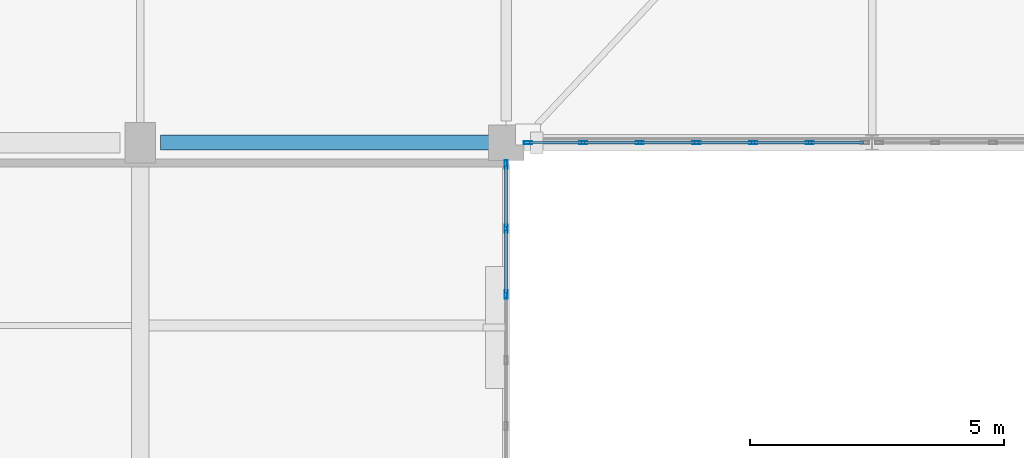
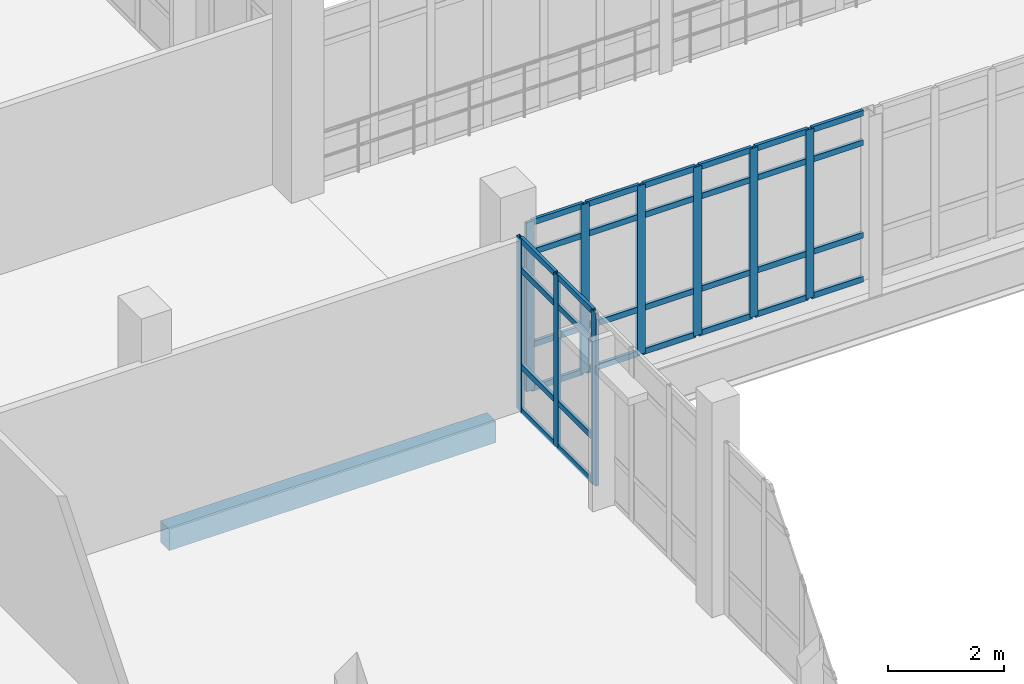
# One storey, part 12 of 124: 41 members, 1 beam, 2 elements without a shape of their own.
"""IFC4 building model written with IfcOpenShell, lengths in metres."""

import ifcopenshell
import ifcopenshell.guid

model = None  # the IFC model being written
_history = None  # IfcOwnerHistory: only IFC2X3 demands one
_inside = {}  # id of a spatial element -> (the spatial element, [elements in it])
_under = {}  # id of a project, library or spatial element -> (it, [spatial elements below it])
_declared = {}  # id of a project -> (the project, [libraries it declares])
_typed = {}  # id of a type object -> (the type object, [elements of that type])
_made_of = {}  # id of a material, layer set ... -> (it, [elements and type objects made of it])


def new_model(schema):
    """Start an empty IFC model of exactly this schema.

    Asked for "IFC4X3", IfcOpenShell would pick the latest addendum, in which some entities
    have other attributes; the version numbers below select the first issue.
    IFC2X3 requires an IfcOwnerHistory on every rooted entity: one is made here for all.
    """
    global model, _history
    if schema == "IFC4X3":
        model = ifcopenshell.file(schema_version=(4, 3, 0, 0))
    else:
        model = ifcopenshell.file(schema=schema)
    _inside.clear()
    _under.clear()
    _declared.clear()
    _typed.clear()
    _made_of.clear()
    _history = None
    if model.schema == "IFC2X3":
        org = make("IfcOrganization", Name="unknown")
        user = make(
            "IfcPersonAndOrganization",
            ThePerson=make("IfcPerson", FamilyName="unknown"),
            TheOrganization=org,
        )
        app = make(
            "IfcApplication",
            ApplicationDeveloper=org,
            Version="unknown",
            ApplicationFullName="unknown",
            ApplicationIdentifier="unknown",
        )
        _history = make(
            "IfcOwnerHistory",
            OwningUser=user,
            OwningApplication=app,
            ChangeAction="ADDED",
            CreationDate=0,
        )
    return model


def make(cls, **values):
    """One entity of the class cls with the attributes given. An attribute that is None is left unset."""
    return model.create_entity(
        cls, **{name: value for name, value in values.items() if value is not None}
    )


def rooted(cls, **values):
    """An entity with a GlobalId (a new one), such as an element, a storey or a relation."""
    return make(cls, GlobalId=ifcopenshell.guid.new(), OwnerHistory=_history, **values)


def si_unit(unit_type, name, prefix=None):
    """IfcSIUnit, for example si_unit("LENGTHUNIT", "METRE", prefix="MILLI")."""
    return make("IfcSIUnit", UnitType=unit_type, Prefix=prefix, Name=name)


def assignment(units):
    """IfcUnitAssignment: the units of a project."""
    return None if units is None else make("IfcUnitAssignment", Units=units)


def point(xyz):
    """IfcCartesianPoint."""
    return None if xyz is None else make("IfcCartesianPoint", Coordinates=xyz)


def direction(xyz):
    """IfcDirection."""
    return None if xyz is None else make("IfcDirection", DirectionRatios=xyz)


def frame(location, z_axis=None, x_axis=None):
    """IfcAxis2Placement3D, a coordinate frame: its origin and axes. An axis left out is left unset."""
    return make(
        "IfcAxis2Placement3D",
        Location=point(location),
        Axis=direction(z_axis),
        RefDirection=direction(x_axis),
    )


def frame_2d(location, x_axis=None):
    """IfcAxis2Placement2D, a coordinate frame in the plane: its origin and x axis."""
    return make(
        "IfcAxis2Placement2D", Location=point(location), RefDirection=direction(x_axis)
    )


def origin():
    """The frame at (0, 0, 0) with its axes left unset."""
    return frame((0.0, 0.0, 0.0))


def origin_2d():
    """The frame at (0, 0) in the plane with its x axis left unset."""
    return frame_2d((0.0, 0.0))


def place(relative_to, where):
    """IfcLocalPlacement: puts the frame where relative to a parent placement (None: the world)."""
    return make(
        "IfcLocalPlacement", PlacementRelTo=relative_to, RelativePlacement=where
    )


def context(
    kind, dimensions, precision=None, world=None, true_north=None, identifier=None
):
    """IfcGeometricRepresentationContext, for example the 3D "Model" context."""
    return make(
        "IfcGeometricRepresentationContext",
        ContextIdentifier=identifier,
        ContextType=kind,
        CoordinateSpaceDimension=dimensions,
        Precision=precision,
        WorldCoordinateSystem=world,
        TrueNorth=true_north,
    )


def subcontext(parent, identifier, kind, view, scale=None):
    """IfcGeometricRepresentationSubContext, for example "Body" below "Model"."""
    return make(
        "IfcGeometricRepresentationSubContext",
        ContextIdentifier=identifier,
        ContextType=kind,
        ParentContext=parent,
        TargetScale=scale,
        TargetView=view,
    )


def project(units=None, contexts=None):
    """IfcProject with its units and contexts."""
    return rooted(
        "IfcProject",
        Name="project",
        RepresentationContexts=contexts,
        UnitsInContext=assignment(units),
    )


def spatial(cls, under=None, at=None, **own):
    """A site, building, storey or space (cls), placed at a placement, below another one or the project."""
    s = rooted(cls, ObjectPlacement=at, **own)
    if under is not None:
        _under.setdefault(under.id(), (under, []))[1].append(s)
    return s


def profile(cls, at=None, kind="AREA", **sizes):
    """A parametric profile (cls). Its sizes go by their IFC names, for example OverallWidth=200.0."""
    return make(cls, ProfileType=kind, Position=at, **sizes)


def rectangle(**sizes):
    """IfcRectangleProfileDef."""
    return profile("IfcRectangleProfileDef", **sizes)


def hollow_rectangle(**sizes):
    """IfcRectangleHollowProfileDef."""
    return profile("IfcRectangleHollowProfileDef", **sizes)


def extrude(swept, where, along, depth):
    """IfcExtrudedAreaSolid: the profile swept, set in the frame where, extruded along a direction by depth."""
    return make(
        "IfcExtrudedAreaSolid",
        SweptArea=swept,
        Position=where,
        ExtrudedDirection=direction(along),
        Depth=depth,
    )


def shape(context_of_items, identifier, shape_type, items):
    """IfcShapeRepresentation: the items that make up one representation, for example the "Body"."""
    return make(
        "IfcShapeRepresentation",
        ContextOfItems=context_of_items,
        RepresentationIdentifier=identifier,
        RepresentationType=shape_type,
        Items=items,
    )


def material(Name=None, Category=None):
    """IfcMaterial."""
    return make("IfcMaterial", Name=Name, Category=Category)


def material_profile(
    of_material, cross_section, Name=None, Category=None, Priority=None
):
    """IfcMaterialProfile: a cross section and its material."""
    return make(
        "IfcMaterialProfile",
        Name=Name,
        Material=of_material,
        Profile=cross_section,
        Priority=Priority,
        Category=Category,
    )


def profile_set(profiles, Name=None, composite=None):
    """IfcMaterialProfileSet."""
    return make(
        "IfcMaterialProfileSet",
        Name=Name,
        MaterialProfiles=profiles,
        CompositeProfile=composite,
    )


def made_of(thing, what):
    """Note that an element or type object is made of a material, layer set ...; save() writes the relation."""
    if what is not None:
        _made_of.setdefault(what.id(), (what, []))[1].append(thing)
    return thing


def type_object(cls, material=None, **own):
    """A type object (cls), such as IfcWallType, which elements share."""
    return made_of(rooted(cls, **own), material)


def element(
    cls,
    number,
    at=None,
    inside=None,
    cuts=None,
    type_object=None,
    material=None,
    context=None,
    identifier="Body",
    shape_type=None,
    held_by="IfcProductDefinitionShape",
    body=None,
    shapes=None,
    **own,
):
    """One element of the class cls, such as IfcWall. Its Tag is "e" and its number.

    at: its placement. inside: the storey or other place that contains it. cuts: it is an
    opening in that element (IfcRelVoidsElement). A single representation is given by context,
    identifier, shape_type and body (its items); several are given by shapes. held_by: the class
    of the entity that holds the representations. save() writes the other relations.
    """
    e = rooted(cls, Tag="e%d" % number, ObjectPlacement=at, **own)
    if body is not None:
        shapes = [shape(context, identifier, shape_type, body)]
    if shapes is not None:
        e.Representation = make(held_by, Representations=shapes)
    if inside is not None:
        _inside.setdefault(inside.id(), (inside, []))[1].append(e)
    if cuts is not None:
        rooted(
            "IfcRelVoidsElement", RelatingBuildingElement=cuts, RelatedOpeningElement=e
        )
    if type_object is not None:
        _typed.setdefault(type_object.id(), (type_object, []))[1].append(e)
    return made_of(e, material)


def aggregate(whole, parts):
    """IfcRelAggregates: a whole, such as a stair, and the parts it consists of."""
    return rooted("IfcRelAggregates", RelatingObject=whole, RelatedObjects=parts)


def save(model, path):
    """Write the relations noted so far, then the file.

    IfcRelAggregates (storeys below a building ...), IfcRelContainedInSpatialStructure (elements
    in a storey), IfcRelDefinesByType, IfcRelAssociatesMaterial and IfcRelDeclares: one each for
    every whole, place, type object, material and project.
    """
    for whole, parts in _under.values():
        aggregate(whole, parts)
    for where, things in _inside.values():
        rooted(
            "IfcRelContainedInSpatialStructure",
            RelatedElements=things,
            RelatingStructure=where,
        )
    for kind, things in _typed.values():
        rooted("IfcRelDefinesByType", RelatedObjects=things, RelatingType=kind)
    for what, things in _made_of.values():
        rooted("IfcRelAssociatesMaterial", RelatedObjects=things, RelatingMaterial=what)
    for by, libraries in _declared.values():
        rooted("IfcRelDeclares", RelatingContext=by, RelatedDefinitions=libraries)
    model.write(path)


model = new_model("IFC4")

# Units and contexts
model_context = context("Model", 3, precision=1e-05, world=origin(), true_north=direction((0.0, 1.0)))
body_context = subcontext(model_context, "Body", "Model", "MODEL_VIEW")
ifc_project = project(units=[si_unit("LENGTHUNIT", "METRE"), si_unit("AREAUNIT", "SQUARE_METRE"), si_unit("VOLUMEUNIT", "CUBIC_METRE"), si_unit("PLANEANGLEUNIT", "RADIAN"), si_unit("MASSUNIT", "GRAM", prefix="KILO")], contexts=[model_context])

# Site, building, storey
site_placement = place(None, origin())
site = spatial("IfcSite", under=ifc_project, at=site_placement, CompositionType="ELEMENT")
building_placement = place(site_placement, origin())
building = spatial("IfcBuilding", under=site, at=building_placement, Name="Kalluvel Institute of Natural Sciences", CompositionType="ELEMENT")
storey_placement = place(building_placement, frame((0.0, 0.0, 9.89990234375)))
storey = spatial("IfcBuildingStorey", under=building, at=storey_placement, Name="L02", CompositionType="ELEMENT", Elevation=9.89990234375)

# Curtain wall, members
ifc_material_1 = material(Name="Aluminium AW-6063 T6", Category="aluminium")
curtain_wall_type_1 = type_object("IfcCurtainWallType", Name="CW-DRY-45", PredefinedType="USERDEFINED", material=ifc_material_1)
curtain_wall_1_placement = place(storey_placement, origin())
curtain_wall_1 = element("IfcCurtainWall", 1, at=curtain_wall_1_placement, inside=storey, type_object=curtain_wall_type_1, Name="L02 Gothic lancet curtain wall CWA-L02-X356-Y215", ObjectType="UNITISED LANCET FACADE", PredefinedType="USERDEFINED")
ifc_material_profile_1 = material_profile(ifc_material_1, hollow_rectangle(XDim=0.06005859375, YDim=0.159912109375, WallThickness=0.00390625, at=origin_2d()), Name="CWM 60x160")
ifc_profile_set_1 = profile_set([ifc_material_profile_1], Name="Aluminium AW-6063 T6")
member_type_1 = type_object("IfcMemberType", Name="CWM-60x160", PredefinedType="MULLION", material=ifc_profile_set_1)
member_1_placement = place(storey_placement, frame((35.60009765625, 25.409912109375, 0.0), z_axis=(0.0, 0.0, 1.0), x_axis=(-1.0, 0.0, 0.0)))
member_1 = element("IfcMember", 2, at=member_1_placement, type_object=member_type_1, Name="CW-03 mullion 4", PredefinedType="MULLION", context=body_context, shape_type="SweptSolid", body=[
    extrude(hollow_rectangle(XDim=0.06005859375, YDim=0.159912109375, WallThickness=0.00390625, at=origin_2d()), origin(), (0.0, 0.0, 1.0), 3.6201171875),
])
member_2_placement = place(storey_placement, frame((35.60009765625, 26.705078125, 0.0), z_axis=(0.0, 0.0, 1.0), x_axis=(-1.0, 0.0, 0.0)))
member_2 = element("IfcMember", 3, at=member_2_placement, type_object=member_type_1, Name="CW-03 mullion 5", PredefinedType="MULLION", context=body_context, shape_type="SweptSolid", body=[
    extrude(hollow_rectangle(XDim=0.06005859375, YDim=0.159912109375, WallThickness=0.00390625, at=origin_2d()), origin(), (0.0, 0.0, 1.0), 3.6201171875),
])
member_3_placement = place(storey_placement, frame((35.60009765625, 27.969970703125, 0.0), z_axis=(0.0, 0.0, 1.0), x_axis=(-1.0, 0.0, 0.0)))
member_3 = element("IfcMember", 4, at=member_3_placement, type_object=member_type_1, Name="CW-03 mullion 6", PredefinedType="MULLION", context=body_context, shape_type="SweptSolid", body=[
    extrude(hollow_rectangle(XDim=0.06005859375, YDim=0.159912109375, WallThickness=0.00390625, at=origin_2d()), origin(), (0.0, 0.0, 1.0), 3.6201171875),
])

curtain_wall_type_2 = type_object("IfcCurtainWallType", Name="CW-BRG-45", PredefinedType="USERDEFINED", material=ifc_material_1)
curtain_wall_2_placement = place(storey_placement, origin())
curtain_wall_2 = element("IfcCurtainWall", 5, at=curtain_wall_2_placement, inside=storey, type_object=curtain_wall_type_2, Name="L02 Gothic lancet curtain wall CWA-L02-X360-Y284", ObjectType="UNITISED LANCET FACADE", PredefinedType="USERDEFINED")
member_4_placement = place(storey_placement, frame((36.030029296875, 28.39990234375, 0.0), z_axis=(0.0, 0.0, 1.0), x_axis=(0.0, 1.0, 0.0)))
member_4 = element("IfcMember", 6, at=member_4_placement, type_object=member_type_1, Name="CW-07 mullion 1", PredefinedType="MULLION", context=body_context, shape_type="SweptSolid", body=[
    extrude(hollow_rectangle(XDim=0.06005859375, YDim=0.159912109375, WallThickness=0.00390625, at=origin_2d()), origin(), (0.0, 0.0, 1.0), 3.5400390625),
])
member_5_placement = place(storey_placement, frame((37.114990234375, 28.39990234375, 0.0), z_axis=(0.0, 0.0, 1.0), x_axis=(0.0, 1.0, 0.0)))
member_5 = element("IfcMember", 7, at=member_5_placement, type_object=member_type_1, Name="CW-07 mullion 2", PredefinedType="MULLION", context=body_context, shape_type="SweptSolid", body=[
    extrude(hollow_rectangle(XDim=0.06005859375, YDim=0.159912109375, WallThickness=0.00390625, at=origin_2d()), origin(), (0.0, 0.0, 1.0), 3.5400390625),
])
member_6_placement = place(storey_placement, frame((38.22998046875, 28.39990234375, 0.0), z_axis=(0.0, 0.0, 1.0), x_axis=(0.0, 1.0, 0.0)))
member_6 = element("IfcMember", 8, at=member_6_placement, type_object=member_type_1, Name="CW-07 mullion 3", PredefinedType="MULLION", context=body_context, shape_type="SweptSolid", body=[
    extrude(hollow_rectangle(XDim=0.06005859375, YDim=0.159912109375, WallThickness=0.00390625, at=origin_2d()), origin(), (0.0, 0.0, 1.0), 3.5400390625),
])
member_7_placement = place(storey_placement, frame((39.344970703125, 28.39990234375, 0.0), z_axis=(0.0, 0.0, 1.0), x_axis=(0.0, 1.0, 0.0)))
member_7 = element("IfcMember", 9, at=member_7_placement, type_object=member_type_1, Name="CW-07 mullion 4", PredefinedType="MULLION", context=body_context, shape_type="SweptSolid", body=[
    extrude(hollow_rectangle(XDim=0.06005859375, YDim=0.159912109375, WallThickness=0.00390625, at=origin_2d()), origin(), (0.0, 0.0, 1.0), 3.5400390625),
])
member_8_placement = place(storey_placement, frame((40.4599609375, 28.39990234375, 0.0), z_axis=(0.0, 0.0, 1.0), x_axis=(0.0, 1.0, 0.0)))
member_8 = element("IfcMember", 10, at=member_8_placement, type_object=member_type_1, Name="CW-07 mullion 5", PredefinedType="MULLION", context=body_context, shape_type="SweptSolid", body=[
    extrude(hollow_rectangle(XDim=0.06005859375, YDim=0.159912109375, WallThickness=0.00390625, at=origin_2d()), origin(), (0.0, 0.0, 1.0), 3.5400390625),
])
member_9_placement = place(storey_placement, frame((41.574951171875, 28.39990234375, 0.0), z_axis=(0.0, 0.0, 1.0), x_axis=(0.0, 1.0, 0.0)))
member_9 = element("IfcMember", 11, at=member_9_placement, type_object=member_type_1, Name="CW-07 mullion 6", PredefinedType="MULLION", context=body_context, shape_type="SweptSolid", body=[
    extrude(hollow_rectangle(XDim=0.06005859375, YDim=0.159912109375, WallThickness=0.00390625, at=origin_2d()), origin(), (0.0, 0.0, 1.0), 3.5400390625),
])

# Member
ifc_material_profile_2 = material_profile(ifc_material_1, hollow_rectangle(XDim=0.06005859375, YDim=0.1201171875, WallThickness=0.00390625, at=origin_2d()), Name="CWT 60x120")
ifc_profile_set_2 = profile_set([ifc_material_profile_2], Name="Aluminium AW-6063 T6")
member_type_2 = type_object("IfcMemberType", Name="CWT-60x120", PredefinedType="USERDEFINED", material=ifc_profile_set_2)
member_10_placement = place(storey_placement, frame((35.60009765625, 25.43994140625, 0.030029296875), z_axis=(0.0, 1.0, 0.0), x_axis=(-1.0, 0.0, 0.0)))
member_10 = element("IfcMember", 12, at=member_10_placement, type_object=member_type_2, Name="CW-03 transom 4.1", ObjectType="TRANSOM", PredefinedType="USERDEFINED", context=body_context, shape_type="SweptSolid", body=[
    extrude(hollow_rectangle(XDim=0.06005859375, YDim=0.1201171875, WallThickness=0.00390625, at=origin_2d()), origin(), (0.0, 0.0, 1.0), 1.235107421875),
])

member_11_placement = place(storey_placement, frame((35.60009765625, 25.43994140625, 0.9501953125), z_axis=(0.0, 1.0, 0.0), x_axis=(-1.0, 0.0, 0.0)))
member_11 = element("IfcMember", 13, at=member_11_placement, type_object=member_type_2, Name="CW-03 transom 4.2", ObjectType="TRANSOM", PredefinedType="USERDEFINED", context=body_context, shape_type="SweptSolid", body=[
    extrude(hollow_rectangle(XDim=0.06005859375, YDim=0.1201171875, WallThickness=0.00390625, at=origin_2d()), origin(), (0.0, 0.0, 1.0), 1.235107421875),
])

member_12_placement = place(storey_placement, frame((35.60009765625, 25.43994140625, 2.97021484375), z_axis=(0.0, 1.0, 0.0), x_axis=(-1.0, 0.0, 0.0)))
member_12 = element("IfcMember", 14, at=member_12_placement, type_object=member_type_2, Name="CW-03 transom 4.3", ObjectType="TRANSOM", PredefinedType="USERDEFINED", context=body_context, shape_type="SweptSolid", body=[
    extrude(hollow_rectangle(XDim=0.06005859375, YDim=0.1201171875, WallThickness=0.00390625, at=origin_2d()), origin(), (0.0, 0.0, 1.0), 1.235107421875),
])

member_13_placement = place(storey_placement, frame((35.60009765625, 25.43994140625, 3.590087890625), z_axis=(0.0, 1.0, 0.0), x_axis=(-1.0, 0.0, 0.0)))
member_13 = element("IfcMember", 15, at=member_13_placement, type_object=member_type_2, Name="CW-03 transom 4.4", ObjectType="TRANSOM", PredefinedType="USERDEFINED", context=body_context, shape_type="SweptSolid", body=[
    extrude(hollow_rectangle(XDim=0.06005859375, YDim=0.1201171875, WallThickness=0.00390625, at=origin_2d()), origin(), (0.0, 0.0, 1.0), 1.235107421875),
])

member_14_placement = place(storey_placement, frame((35.60009765625, 26.735107421875, 0.030029296875), z_axis=(0.0, 1.0, 0.0), x_axis=(-1.0, 0.0, 0.0)))
member_14 = element("IfcMember", 16, at=member_14_placement, type_object=member_type_2, Name="CW-03 transom 5.1", ObjectType="TRANSOM", PredefinedType="USERDEFINED", context=body_context, shape_type="SweptSolid", body=[
    extrude(hollow_rectangle(XDim=0.06005859375, YDim=0.1201171875, WallThickness=0.00390625, at=origin_2d()), origin(), (0.0, 0.0, 1.0), 1.204833984375),
])

member_15_placement = place(storey_placement, frame((35.60009765625, 26.735107421875, 0.9501953125), z_axis=(0.0, 1.0, 0.0), x_axis=(-1.0, 0.0, 0.0)))
member_15 = element("IfcMember", 17, at=member_15_placement, type_object=member_type_2, Name="CW-03 transom 5.2", ObjectType="TRANSOM", PredefinedType="USERDEFINED", context=body_context, shape_type="SweptSolid", body=[
    extrude(hollow_rectangle(XDim=0.06005859375, YDim=0.1201171875, WallThickness=0.00390625, at=origin_2d()), origin(), (0.0, 0.0, 1.0), 1.204833984375),
])

member_16_placement = place(storey_placement, frame((35.60009765625, 26.735107421875, 2.97021484375), z_axis=(0.0, 1.0, 0.0), x_axis=(-1.0, 0.0, 0.0)))
member_16 = element("IfcMember", 18, at=member_16_placement, type_object=member_type_2, Name="CW-03 transom 5.3", ObjectType="TRANSOM", PredefinedType="USERDEFINED", context=body_context, shape_type="SweptSolid", body=[
    extrude(hollow_rectangle(XDim=0.06005859375, YDim=0.1201171875, WallThickness=0.00390625, at=origin_2d()), origin(), (0.0, 0.0, 1.0), 1.204833984375),
])

member_17_placement = place(storey_placement, frame((35.60009765625, 26.735107421875, 3.590087890625), z_axis=(0.0, 1.0, 0.0), x_axis=(-1.0, 0.0, 0.0)))
member_17 = element("IfcMember", 19, at=member_17_placement, type_object=member_type_2, Name="CW-03 transom 5.4", ObjectType="TRANSOM", PredefinedType="USERDEFINED", context=body_context, shape_type="SweptSolid", body=[
    extrude(hollow_rectangle(XDim=0.06005859375, YDim=0.1201171875, WallThickness=0.00390625, at=origin_2d()), origin(), (0.0, 0.0, 1.0), 1.204833984375),
])

aggregate(curtain_wall_1, [member_1, member_2, member_3, member_10, member_11, member_12, member_13, member_14, member_15, member_16, member_17])

member_18_placement = place(storey_placement, frame((36.06005859375, 28.39990234375, 0.030029296875), z_axis=(1.0, 0.0, 0.0), x_axis=(0.0, 1.0, 0.0)))
member_18 = element("IfcMember", 20, at=member_18_placement, type_object=member_type_2, Name="CW-07 transom 1.1", ObjectType="TRANSOM", PredefinedType="USERDEFINED", context=body_context, shape_type="SweptSolid", body=[
    extrude(hollow_rectangle(XDim=0.06005859375, YDim=0.1201171875, WallThickness=0.00390625, at=origin_2d()), origin(), (0.0, 0.0, 1.0), 1.02490234375),
])

member_19_placement = place(storey_placement, frame((36.06005859375, 28.39990234375, 0.9501953125), z_axis=(1.0, 0.0, 0.0), x_axis=(0.0, 1.0, 0.0)))
member_19 = element("IfcMember", 21, at=member_19_placement, type_object=member_type_2, Name="CW-07 transom 1.2", ObjectType="TRANSOM", PredefinedType="USERDEFINED", context=body_context, shape_type="SweptSolid", body=[
    extrude(hollow_rectangle(XDim=0.06005859375, YDim=0.1201171875, WallThickness=0.00390625, at=origin_2d()), origin(), (0.0, 0.0, 1.0), 1.02490234375),
])

member_20_placement = place(storey_placement, frame((36.06005859375, 28.39990234375, 2.89013671875), z_axis=(1.0, 0.0, 0.0), x_axis=(0.0, 1.0, 0.0)))
member_20 = element("IfcMember", 22, at=member_20_placement, type_object=member_type_2, Name="CW-07 transom 1.3", ObjectType="TRANSOM", PredefinedType="USERDEFINED", context=body_context, shape_type="SweptSolid", body=[
    extrude(hollow_rectangle(XDim=0.06005859375, YDim=0.1201171875, WallThickness=0.00390625, at=origin_2d()), origin(), (0.0, 0.0, 1.0), 1.02490234375),
])

member_21_placement = place(storey_placement, frame((36.06005859375, 28.39990234375, 3.510009765625), z_axis=(1.0, 0.0, 0.0), x_axis=(0.0, 1.0, 0.0)))
member_21 = element("IfcMember", 23, at=member_21_placement, type_object=member_type_2, Name="CW-07 transom 1.4", ObjectType="TRANSOM", PredefinedType="USERDEFINED", context=body_context, shape_type="SweptSolid", body=[
    extrude(hollow_rectangle(XDim=0.06005859375, YDim=0.1201171875, WallThickness=0.00390625, at=origin_2d()), origin(), (0.0, 0.0, 1.0), 1.02490234375),
])

member_22_placement = place(storey_placement, frame((37.14501953125, 28.39990234375, 0.030029296875), z_axis=(1.0, 0.0, 0.0), x_axis=(0.0, 1.0, 0.0)))
member_22 = element("IfcMember", 24, at=member_22_placement, type_object=member_type_2, Name="CW-07 transom 2.1", ObjectType="TRANSOM", PredefinedType="USERDEFINED", context=body_context, shape_type="SweptSolid", body=[
    extrude(hollow_rectangle(XDim=0.06005859375, YDim=0.1201171875, WallThickness=0.00390625, at=origin_2d()), origin(), (0.0, 0.0, 1.0), 1.054931640625),
])

member_23_placement = place(storey_placement, frame((37.14501953125, 28.39990234375, 0.9501953125), z_axis=(1.0, 0.0, 0.0), x_axis=(0.0, 1.0, 0.0)))
member_23 = element("IfcMember", 25, at=member_23_placement, type_object=member_type_2, Name="CW-07 transom 2.2", ObjectType="TRANSOM", PredefinedType="USERDEFINED", context=body_context, shape_type="SweptSolid", body=[
    extrude(hollow_rectangle(XDim=0.06005859375, YDim=0.1201171875, WallThickness=0.00390625, at=origin_2d()), origin(), (0.0, 0.0, 1.0), 1.054931640625),
])

member_24_placement = place(storey_placement, frame((37.14501953125, 28.39990234375, 2.89013671875), z_axis=(1.0, 0.0, 0.0), x_axis=(0.0, 1.0, 0.0)))
member_24 = element("IfcMember", 26, at=member_24_placement, type_object=member_type_2, Name="CW-07 transom 2.3", ObjectType="TRANSOM", PredefinedType="USERDEFINED", context=body_context, shape_type="SweptSolid", body=[
    extrude(hollow_rectangle(XDim=0.06005859375, YDim=0.1201171875, WallThickness=0.00390625, at=origin_2d()), origin(), (0.0, 0.0, 1.0), 1.054931640625),
])

member_25_placement = place(storey_placement, frame((37.14501953125, 28.39990234375, 3.510009765625), z_axis=(1.0, 0.0, 0.0), x_axis=(0.0, 1.0, 0.0)))
member_25 = element("IfcMember", 27, at=member_25_placement, type_object=member_type_2, Name="CW-07 transom 2.4", ObjectType="TRANSOM", PredefinedType="USERDEFINED", context=body_context, shape_type="SweptSolid", body=[
    extrude(hollow_rectangle(XDim=0.06005859375, YDim=0.1201171875, WallThickness=0.00390625, at=origin_2d()), origin(), (0.0, 0.0, 1.0), 1.054931640625),
])

member_26_placement = place(storey_placement, frame((38.260009765625, 28.39990234375, 0.030029296875), z_axis=(1.0, 0.0, 0.0), x_axis=(0.0, 1.0, 0.0)))
member_26 = element("IfcMember", 28, at=member_26_placement, type_object=member_type_2, Name="CW-07 transom 3.1", ObjectType="TRANSOM", PredefinedType="USERDEFINED", context=body_context, shape_type="SweptSolid", body=[
    extrude(hollow_rectangle(XDim=0.06005859375, YDim=0.1201171875, WallThickness=0.00390625, at=origin_2d()), origin(), (0.0, 0.0, 1.0), 1.054931640625),
])

member_27_placement = place(storey_placement, frame((38.260009765625, 28.39990234375, 0.9501953125), z_axis=(1.0, 0.0, 0.0), x_axis=(0.0, 1.0, 0.0)))
member_27 = element("IfcMember", 29, at=member_27_placement, type_object=member_type_2, Name="CW-07 transom 3.2", ObjectType="TRANSOM", PredefinedType="USERDEFINED", context=body_context, shape_type="SweptSolid", body=[
    extrude(hollow_rectangle(XDim=0.06005859375, YDim=0.1201171875, WallThickness=0.00390625, at=origin_2d()), origin(), (0.0, 0.0, 1.0), 1.054931640625),
])

member_28_placement = place(storey_placement, frame((38.260009765625, 28.39990234375, 2.89013671875), z_axis=(1.0, 0.0, 0.0), x_axis=(0.0, 1.0, 0.0)))
member_28 = element("IfcMember", 30, at=member_28_placement, type_object=member_type_2, Name="CW-07 transom 3.3", ObjectType="TRANSOM", PredefinedType="USERDEFINED", context=body_context, shape_type="SweptSolid", body=[
    extrude(hollow_rectangle(XDim=0.06005859375, YDim=0.1201171875, WallThickness=0.00390625, at=origin_2d()), origin(), (0.0, 0.0, 1.0), 1.054931640625),
])

member_29_placement = place(storey_placement, frame((38.260009765625, 28.39990234375, 3.510009765625), z_axis=(1.0, 0.0, 0.0), x_axis=(0.0, 1.0, 0.0)))
member_29 = element("IfcMember", 31, at=member_29_placement, type_object=member_type_2, Name="CW-07 transom 3.4", ObjectType="TRANSOM", PredefinedType="USERDEFINED", context=body_context, shape_type="SweptSolid", body=[
    extrude(hollow_rectangle(XDim=0.06005859375, YDim=0.1201171875, WallThickness=0.00390625, at=origin_2d()), origin(), (0.0, 0.0, 1.0), 1.054931640625),
])

member_30_placement = place(storey_placement, frame((39.375, 28.39990234375, 0.030029296875), z_axis=(1.0, 0.0, 0.0), x_axis=(0.0, 1.0, 0.0)))
member_30 = element("IfcMember", 32, at=member_30_placement, type_object=member_type_2, Name="CW-07 transom 4.1", ObjectType="TRANSOM", PredefinedType="USERDEFINED", context=body_context, shape_type="SweptSolid", body=[
    extrude(hollow_rectangle(XDim=0.06005859375, YDim=0.1201171875, WallThickness=0.00390625, at=origin_2d()), origin(), (0.0, 0.0, 1.0), 1.054931640625),
])

member_31_placement = place(storey_placement, frame((39.375, 28.39990234375, 0.9501953125), z_axis=(1.0, 0.0, 0.0), x_axis=(0.0, 1.0, 0.0)))
member_31 = element("IfcMember", 33, at=member_31_placement, type_object=member_type_2, Name="CW-07 transom 4.2", ObjectType="TRANSOM", PredefinedType="USERDEFINED", context=body_context, shape_type="SweptSolid", body=[
    extrude(hollow_rectangle(XDim=0.06005859375, YDim=0.1201171875, WallThickness=0.00390625, at=origin_2d()), origin(), (0.0, 0.0, 1.0), 1.054931640625),
])

member_32_placement = place(storey_placement, frame((39.375, 28.39990234375, 2.89013671875), z_axis=(1.0, 0.0, 0.0), x_axis=(0.0, 1.0, 0.0)))
member_32 = element("IfcMember", 34, at=member_32_placement, type_object=member_type_2, Name="CW-07 transom 4.3", ObjectType="TRANSOM", PredefinedType="USERDEFINED", context=body_context, shape_type="SweptSolid", body=[
    extrude(hollow_rectangle(XDim=0.06005859375, YDim=0.1201171875, WallThickness=0.00390625, at=origin_2d()), origin(), (0.0, 0.0, 1.0), 1.054931640625),
])

member_33_placement = place(storey_placement, frame((39.375, 28.39990234375, 3.510009765625), z_axis=(1.0, 0.0, 0.0), x_axis=(0.0, 1.0, 0.0)))
member_33 = element("IfcMember", 35, at=member_33_placement, type_object=member_type_2, Name="CW-07 transom 4.4", ObjectType="TRANSOM", PredefinedType="USERDEFINED", context=body_context, shape_type="SweptSolid", body=[
    extrude(hollow_rectangle(XDim=0.06005859375, YDim=0.1201171875, WallThickness=0.00390625, at=origin_2d()), origin(), (0.0, 0.0, 1.0), 1.054931640625),
])

member_34_placement = place(storey_placement, frame((40.489990234375, 28.39990234375, 0.030029296875), z_axis=(1.0, 0.0, 0.0), x_axis=(0.0, 1.0, 0.0)))
member_34 = element("IfcMember", 36, at=member_34_placement, type_object=member_type_2, Name="CW-07 transom 5.1", ObjectType="TRANSOM", PredefinedType="USERDEFINED", context=body_context, shape_type="SweptSolid", body=[
    extrude(hollow_rectangle(XDim=0.06005859375, YDim=0.1201171875, WallThickness=0.00390625, at=origin_2d()), origin(), (0.0, 0.0, 1.0), 1.054931640625),
])

member_35_placement = place(storey_placement, frame((40.489990234375, 28.39990234375, 0.9501953125), z_axis=(1.0, 0.0, 0.0), x_axis=(0.0, 1.0, 0.0)))
member_35 = element("IfcMember", 37, at=member_35_placement, type_object=member_type_2, Name="CW-07 transom 5.2", ObjectType="TRANSOM", PredefinedType="USERDEFINED", context=body_context, shape_type="SweptSolid", body=[
    extrude(hollow_rectangle(XDim=0.06005859375, YDim=0.1201171875, WallThickness=0.00390625, at=origin_2d()), origin(), (0.0, 0.0, 1.0), 1.054931640625),
])

member_36_placement = place(storey_placement, frame((40.489990234375, 28.39990234375, 2.89013671875), z_axis=(1.0, 0.0, 0.0), x_axis=(0.0, 1.0, 0.0)))
member_36 = element("IfcMember", 38, at=member_36_placement, type_object=member_type_2, Name="CW-07 transom 5.3", ObjectType="TRANSOM", PredefinedType="USERDEFINED", context=body_context, shape_type="SweptSolid", body=[
    extrude(hollow_rectangle(XDim=0.06005859375, YDim=0.1201171875, WallThickness=0.00390625, at=origin_2d()), origin(), (0.0, 0.0, 1.0), 1.054931640625),
])

member_37_placement = place(storey_placement, frame((40.489990234375, 28.39990234375, 3.510009765625), z_axis=(1.0, 0.0, 0.0), x_axis=(0.0, 1.0, 0.0)))
member_37 = element("IfcMember", 39, at=member_37_placement, type_object=member_type_2, Name="CW-07 transom 5.4", ObjectType="TRANSOM", PredefinedType="USERDEFINED", context=body_context, shape_type="SweptSolid", body=[
    extrude(hollow_rectangle(XDim=0.06005859375, YDim=0.1201171875, WallThickness=0.00390625, at=origin_2d()), origin(), (0.0, 0.0, 1.0), 1.054931640625),
])

member_38_placement = place(storey_placement, frame((41.60498046875, 28.39990234375, 0.030029296875), z_axis=(1.0, 0.0, 0.0), x_axis=(0.0, 1.0, 0.0)))
member_38 = element("IfcMember", 40, at=member_38_placement, type_object=member_type_2, Name="CW-07 transom 6.1", ObjectType="TRANSOM", PredefinedType="USERDEFINED", context=body_context, shape_type="SweptSolid", body=[
    extrude(hollow_rectangle(XDim=0.06005859375, YDim=0.1201171875, WallThickness=0.00390625, at=origin_2d()), origin(), (0.0, 0.0, 1.0), 1.02490234375),
])

member_39_placement = place(storey_placement, frame((41.60498046875, 28.39990234375, 0.9501953125), z_axis=(1.0, 0.0, 0.0), x_axis=(0.0, 1.0, 0.0)))
member_39 = element("IfcMember", 41, at=member_39_placement, type_object=member_type_2, Name="CW-07 transom 6.2", ObjectType="TRANSOM", PredefinedType="USERDEFINED", context=body_context, shape_type="SweptSolid", body=[
    extrude(hollow_rectangle(XDim=0.06005859375, YDim=0.1201171875, WallThickness=0.00390625, at=origin_2d()), origin(), (0.0, 0.0, 1.0), 1.02490234375),
])

member_40_placement = place(storey_placement, frame((41.60498046875, 28.39990234375, 2.89013671875), z_axis=(1.0, 0.0, 0.0), x_axis=(0.0, 1.0, 0.0)))
member_40 = element("IfcMember", 42, at=member_40_placement, type_object=member_type_2, Name="CW-07 transom 6.3", ObjectType="TRANSOM", PredefinedType="USERDEFINED", context=body_context, shape_type="SweptSolid", body=[
    extrude(hollow_rectangle(XDim=0.06005859375, YDim=0.1201171875, WallThickness=0.00390625, at=origin_2d()), origin(), (0.0, 0.0, 1.0), 1.02490234375),
])

member_41_placement = place(storey_placement, frame((41.60498046875, 28.39990234375, 3.510009765625), z_axis=(1.0, 0.0, 0.0), x_axis=(0.0, 1.0, 0.0)))
member_41 = element("IfcMember", 43, at=member_41_placement, type_object=member_type_2, Name="CW-07 transom 6.4", ObjectType="TRANSOM", PredefinedType="USERDEFINED", context=body_context, shape_type="SweptSolid", body=[
    extrude(hollow_rectangle(XDim=0.06005859375, YDim=0.1201171875, WallThickness=0.00390625, at=origin_2d()), origin(), (0.0, 0.0, 1.0), 1.02490234375),
])

aggregate(curtain_wall_2, [member_4, member_5, member_6, member_7, member_8, member_9, member_18, member_19, member_20, member_21, member_22, member_23, member_24, member_25, member_26, member_27, member_28, member_29, member_30, member_31, member_32, member_33, member_34, member_35, member_36, member_37, member_38, member_39, member_40, member_41])

# Beam
ifc_material_2 = material(Name="Concrete M40", Category="concrete")
ifc_material_profile_3 = material_profile(ifc_material_2, rectangle(XDim=0.300048828125, YDim=0.449951171875, at=origin_2d()), Name="RCB 300x450")
ifc_profile_set_3 = profile_set([ifc_material_profile_3], Name="Concrete M40")
beam_type = type_object("IfcBeamType", Name="SP-RC300x450", PredefinedType="SPANDREL", material=ifc_profile_set_3)
beam_placement = place(storey_placement, frame((28.800048828125, 28.39990234375, -0.52490234375), z_axis=(1.0, 0.0, 0.0), x_axis=(0.0, 1.0, 0.0)))
element("IfcBeam", 44, at=beam_placement, inside=storey, type_object=beam_type, Name="L02 girder GIR-L02-EW-X284-Y284", PredefinedType="SPANDREL", context=body_context, shape_type="SweptSolid", body=[
    extrude(rectangle(XDim=0.300048828125, YDim=0.449951171875, at=origin_2d()), origin(), (0.0, 0.0, 1.0), 6.474853515625),
])

save(model, "model.ifc")
